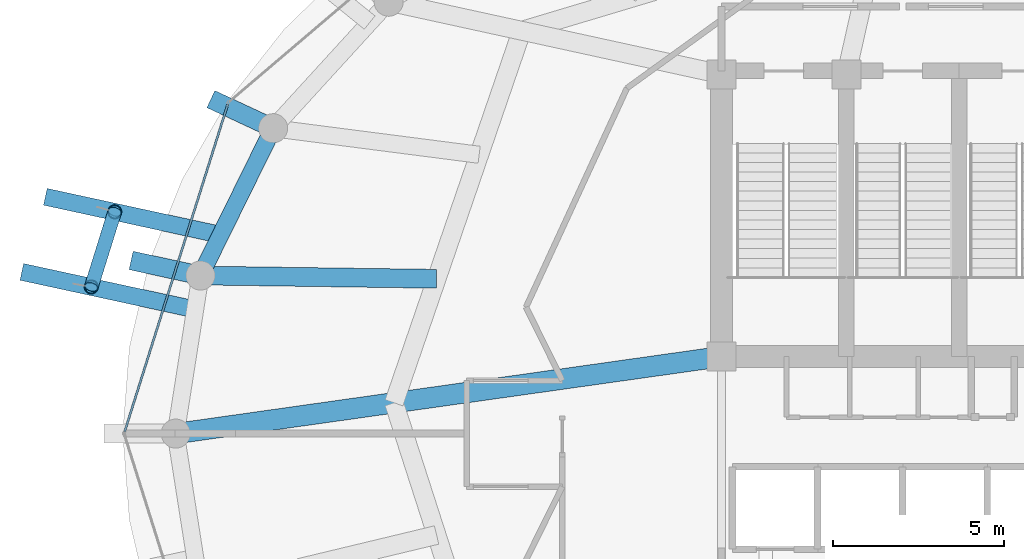
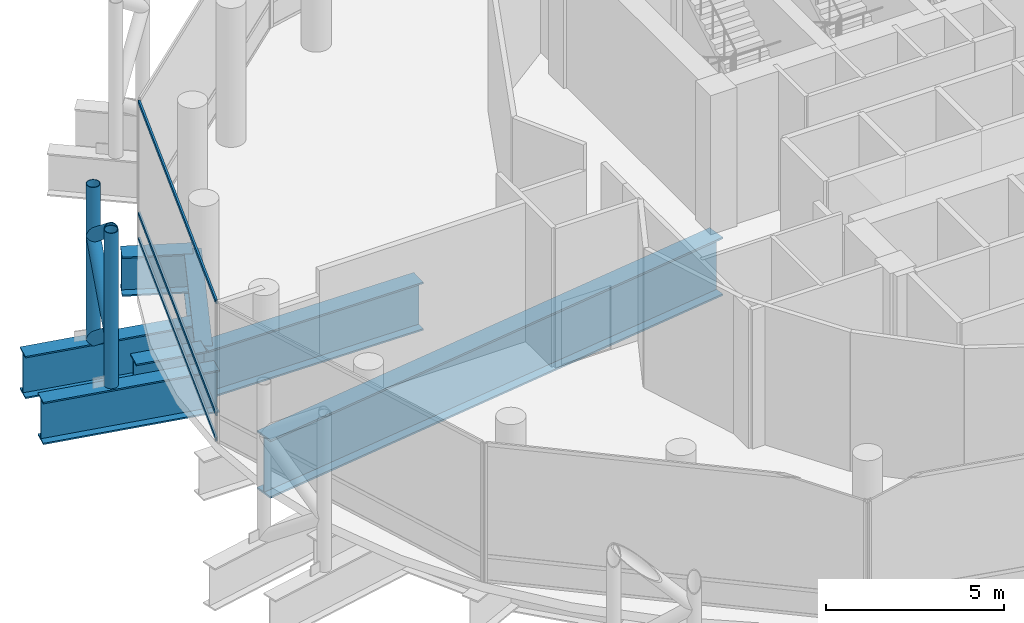
# One storey, part 7 of 31: 8 members, 7 beams, 1 element without a shape of its own.
"""IFC4 building model written with IfcOpenShell, lengths in metres."""

from ifc_helpers import new_model, si_unit, direction, frame, origin, origin_2d, place, context, subcontext, project, spatial, hollow_rectangle, hollow_circle, i_section, extrude, material, layer, layer_set, material_profile, profile_set, type_object, element, aggregate, save


model = new_model("IFC4")

# Units and contexts
model_context = context("Model", 3, precision=1e-05, world=origin(), true_north=direction((0.0, 1.0)))
body_context = subcontext(model_context, "Body", "Model", "MODEL_VIEW")
ifc_project = project(units=[si_unit("LENGTHUNIT", "METRE"), si_unit("AREAUNIT", "SQUARE_METRE"), si_unit("VOLUMEUNIT", "CUBIC_METRE"), si_unit("PLANEANGLEUNIT", "RADIAN"), si_unit("MASSUNIT", "GRAM", prefix="KILO")], contexts=[model_context])

# Site, building, storey
site_placement = place(None, origin())
site = spatial("IfcSite", under=ifc_project, at=site_placement, CompositionType="ELEMENT")
building_placement = place(site_placement, origin())
building = spatial("IfcBuilding", under=site, at=building_placement, Name="Nuhasar Tower", CompositionType="ELEMENT")
storey_placement = place(building_placement, frame((0.0, 0.0, 203.14990234375)))
storey = spatial("IfcBuildingStorey", under=building, at=storey_placement, Name="L49", CompositionType="ELEMENT", Elevation=203.14990234375)

# Beams
ifc_material_1 = material(Name="Steel S460", Category="steel")
ifc_material_profile_1 = material_profile(ifc_material_1, i_section(OverallWidth=0.550048828125, OverallDepth=1.35009765625, WebThickness=0.028076171875, FlangeThickness=0.050048828125, at=origin_2d()), Name="PG1350X550")
ifc_profile_set_1 = profile_set([ifc_material_profile_1], Name="Steel S460")
beam_type_1 = type_object("IfcBeamType", Name="BM-XFER-PG1350", PredefinedType="USERDEFINED", material=ifc_profile_set_1)
beam_1_placement = place(storey_placement, frame((20.596923828125, 35.72509765625, -0.994873046875), z_axis=(-0.905981096049, 0.423318147026, 0.0), x_axis=(-0.423318147026, -0.905981096049, 0.0)))
element("IfcBeam", 1, at=beam_1_placement, inside=storey, type_object=beam_type_1, Name="L49 Outer Column Step Transfer Girder 11", ObjectType="GIRDER", PredefinedType="USERDEFINED", context=body_context, shape_type="SweptSolid", body=[
    extrude(i_section(OverallWidth=0.550048828125, OverallDepth=1.35009765625, WebThickness=0.028076171875, FlangeThickness=0.050048828125, at=origin_2d()), origin(), (0.0, 0.0, 1.0), 2.007568359375),
])
beam_2_placement = place(storey_placement, frame((18.47412109375, 31.419921875, -0.994873046875), z_axis=(-0.977246385906, 0.212107287082, 0.0), x_axis=(-0.212107287082, -0.977246385906, 0.0)))
element("IfcBeam", 2, at=beam_2_placement, inside=storey, type_object=beam_type_1, Name="L49 Outer Column Step Transfer Girder 12", ObjectType="GIRDER", PredefinedType="USERDEFINED", context=body_context, shape_type="SweptSolid", body=[
    extrude(i_section(OverallWidth=0.550048828125, OverallDepth=1.35009765625, WebThickness=0.028076171875, FlangeThickness=0.050048828125, at=origin_2d()), origin(), (0.0, 0.0, 1.0), 2.0751953125),
])
ifc_material_profile_2 = material_profile(ifc_material_1, i_section(OverallWidth=0.5, OverallDepth=1.449951171875, WebThickness=0.028076171875, FlangeThickness=0.050048828125, at=origin_2d()), Name="PG1450X500")
ifc_profile_set_2 = profile_set([ifc_material_profile_2], Name="Steel S460")
beam_type_2 = type_object("IfcBeamType", Name="BM-XFER-PG1450", PredefinedType="USERDEFINED", material=ifc_profile_set_2)
beam_3_placement = place(storey_placement, frame((20.596923828125, 35.72509765625, -1.044921875), z_axis=(-0.442242604409, -0.896895467067, 0.0), x_axis=(0.896895467067, -0.442242604409, 0.0)))
element("IfcBeam", 3, at=beam_3_placement, inside=storey, type_object=beam_type_2, Name="L49 Perimeter Ring Spandrel 11", ObjectType="GIRDER", PredefinedType="USERDEFINED", context=body_context, shape_type="SweptSolid", body=[
    extrude(i_section(OverallWidth=0.5, OverallDepth=1.449951171875, WebThickness=0.028076171875, FlangeThickness=0.050048828125, at=origin_2d()), origin(), (0.0, 0.0, 1.0), 4.800048828125),
])
beam_4_placement = place(storey_placement, frame((19.06103515625, 32.60888671875, -1.044921875), z_axis=(-0.977224692322, 0.212207211743, 0.0), x_axis=(-0.212207211743, -0.977224692322, 0.0)))
element("IfcBeam", 4, at=beam_4_placement, inside=storey, type_object=beam_type_2, Name="L49 Exoskeleton Step Transfer Girder 11", ObjectType="GIRDER", PredefinedType="USERDEFINED", context=body_context, shape_type="SweptSolid", body=[
    extrude(i_section(OverallWidth=0.5, OverallDepth=1.449951171875, WebThickness=0.028076171875, FlangeThickness=0.050048828125, at=origin_2d()), origin(), (0.0, 0.0, 1.0), 5.240478515625),
])
beam_5_placement = place(storey_placement, frame((18.319091796875, 30.427978515625, -1.044921875), z_axis=(-0.977322327933, 0.211757095096, 0.0), x_axis=(-0.211757095096, -0.977322327933, 0.0)))
element("IfcBeam", 5, at=beam_5_placement, inside=storey, type_object=beam_type_2, Name="L49 Exoskeleton Step Transfer Girder 12", ObjectType="GIRDER", PredefinedType="USERDEFINED", context=body_context, shape_type="SweptSolid", body=[
    extrude(i_section(OverallWidth=0.5, OverallDepth=1.449951171875, WebThickness=0.028076171875, FlangeThickness=0.050048828125, at=origin_2d()), origin(), (0.0, 0.0, 1.0), 5.184814453125),
])
ifc_material_profile_3 = material_profile(ifc_material_1, i_section(OverallWidth=0.550048828125, OverallDepth=1.64990234375, WebThickness=0.031982421875, FlangeThickness=0.054931640625, at=origin_2d()), Name="PG1650X550")
ifc_profile_set_3 = profile_set([ifc_material_profile_3], Name="Steel S460")
beam_type_3 = type_object("IfcBeamType", Name="BM-XFER-PG1650", PredefinedType="USERDEFINED", material=ifc_profile_set_3)
beam_6_placement = place(storey_placement, frame((25.375, 31.323974609375, -1.14501953125), z_axis=(-0.99990335855, 0.013902286136, 0.0), x_axis=(-0.013902286136, -0.99990335855, 0.0)))
element("IfcBeam", 6, at=beam_6_placement, inside=storey, type_object=beam_type_3, Name="L49 Inner Column Transfer Girder 12", ObjectType="GIRDER", PredefinedType="USERDEFINED", context=body_context, shape_type="SweptSolid", body=[
    extrude(i_section(OverallWidth=0.550048828125, OverallDepth=1.64990234375, WebThickness=0.031982421875, FlangeThickness=0.054931640625, at=origin_2d()), origin(), (0.0, 0.0, 1.0), 6.901611328125),
])
ifc_material_profile_4 = material_profile(ifc_material_1, i_section(OverallWidth=0.60009765625, OverallDepth=2.0, WebThickness=0.035888671875, FlangeThickness=0.06005859375, at=origin_2d()), Name="PG2000X600")
ifc_profile_set_4 = profile_set([ifc_material_profile_4], Name="Steel S460")
beam_type_4 = type_object("IfcBeamType", Name="BM-XFER-PG2000", PredefinedType="USERDEFINED", material=ifc_profile_set_4)
beam_7_placement = place(storey_placement, frame((33.699951171875, 29.050048828125, -1.31982421875), z_axis=(-0.990196233464, -0.139683281866, 0.0), x_axis=(0.139683281866, -0.990196233464, 0.0)))
element("IfcBeam", 7, at=beam_7_placement, inside=storey, type_object=beam_type_4, Name="L49 Radial Floor Girder 08", ObjectType="GIRDER", PredefinedType="USERDEFINED", context=body_context, shape_type="SweptSolid", body=[
    extrude(i_section(OverallWidth=0.60009765625, OverallDepth=2.0, WebThickness=0.035888671875, FlangeThickness=0.06005859375, at=origin_2d()), origin(), (0.0, 0.0, 1.0), 16.10791015625),
])

# Curtain wall, members
ifc_material_2 = material(Name="Aluminium 6063-T6", Category="aluminium")
ifc_layer = layer(ifc_material_2, 0.239990234375)
ifc_layer_set = layer_set([ifc_layer], Name="Aluminium 6063-T6")
curtain_wall_type = type_object("IfcCurtainWallType", Name="CW-SKY-LBY", PredefinedType="NOTDEFINED", material=ifc_layer_set)
curtain_wall_placement = place(storey_placement, origin())
curtain_wall = element("IfcCurtainWall", 8, at=curtain_wall_placement, inside=storey, type_object=curtain_wall_type, Name="L49 Unitised Curtain Wall 06", PredefinedType="NOTDEFINED")
ifc_material_profile_5 = material_profile(ifc_material_2, hollow_rectangle(XDim=0.06005859375, YDim=0.1298828125, WallThickness=0.00439453125, at=origin_2d()), Name="CWT-6")
ifc_profile_set_5 = profile_set([ifc_material_profile_5], Name="Aluminium 6063-T6")
member_type_1 = type_object("IfcMemberType", Name="CW-TRN-S6", PredefinedType="USERDEFINED", material=ifc_profile_set_5)
member_1_placement = place(storey_placement, frame((19.27099609375, 36.4228515625, 0.030029296875), z_axis=(-0.300424094991, -0.953805726104, 0.0), x_axis=(0.953805726104, -0.300424094991, 0.0)))
member_1 = element("IfcMember", 9, at=member_1_placement, type_object=member_type_1, Name="CW-SL transom 1.1", ObjectType="TRANSOM", PredefinedType="USERDEFINED", context=body_context, shape_type="SweptSolid", body=[
    extrude(hollow_rectangle(XDim=0.06005859375, YDim=0.1298828125, WallThickness=0.00439453125, at=origin_2d()), origin(), (0.0, 0.0, 1.0), 10.029052734375),
])
member_2_placement = place(storey_placement, frame((19.27099609375, 36.4228515625, 0.900146484375), z_axis=(-0.300424094991, -0.953805726104, 0.0), x_axis=(0.953805726104, -0.300424094991, 0.0)))
member_2 = element("IfcMember", 10, at=member_2_placement, type_object=member_type_1, Name="CW-SL transom 1.2", ObjectType="TRANSOM", PredefinedType="USERDEFINED", context=body_context, shape_type="SweptSolid", body=[
    extrude(hollow_rectangle(XDim=0.06005859375, YDim=0.1298828125, WallThickness=0.00439453125, at=origin_2d()), origin(), (0.0, 0.0, 1.0), 10.029052734375),
])
member_3_placement = place(storey_placement, frame((19.27099609375, 36.4228515625, 4.72998046875), z_axis=(-0.300424094991, -0.953805726104, 0.0), x_axis=(0.953805726104, -0.300424094991, 0.0)))
member_3 = element("IfcMember", 11, at=member_3_placement, type_object=member_type_1, Name="CW-SL transom 1.3", ObjectType="TRANSOM", PredefinedType="USERDEFINED", context=body_context, shape_type="SweptSolid", body=[
    extrude(hollow_rectangle(XDim=0.06005859375, YDim=0.1298828125, WallThickness=0.00439453125, at=origin_2d()), origin(), (0.0, 0.0, 1.0), 10.029052734375),
])
aggregate(curtain_wall, [member_1, member_2, member_3])

# Members
ifc_material_profile_6 = material_profile(ifc_material_1, hollow_circle(Radius=0.203125, WallThickness=0.01904296875, at=origin_2d()), Name="HSS406.4X19.1")
ifc_profile_set_6 = profile_set([ifc_material_profile_6], Name="Steel S460")
member_type_2 = type_object("IfcMemberType", Name="EXO-BRONZE-406", PredefinedType="BRACE", material=ifc_profile_set_6)
for number, where, z_axis, x_axis, name in (
    (12, (15.967041015625, 33.281005859375, -0.31982421875), (0.0, 0.0, 1.0), (1.0, 0.0, 0.0), "L49 Exoskeleton Chord Column EC-06A"),
    (13, (15.281982421875, 31.0859375, -0.31982421875), (0.0, 0.0, 1.0), (1.0, 0.0, 0.0), "L49 Exoskeleton Chord Column EC-06B"),
):
    element("IfcMember", number, at=place(storey_placement, frame(where, z_axis=z_axis, x_axis=x_axis)), inside=storey, type_object=member_type_2, Name=name, PredefinedType="BRACE", context=body_context, shape_type="SweptSolid", body=[
        extrude(hollow_circle(Radius=0.203125, WallThickness=0.01904296875, at=origin_2d()), origin(), (0.0, 0.0, 1.0), 5.31982421875),
    ])
member_4_placement = place(storey_placement, frame((15.967041015625, 33.281005859375, -0.31982421875), z_axis=(-0.235933009195, -0.755977792472, 0.610600681674), x_axis=(0.954591372974, -0.297918295247, 0.0)))
element("IfcMember", 14, at=member_4_placement, inside=storey, type_object=member_type_2, Name="L49 Bronze Diagrid Brace W1-06", PredefinedType="BRACE", context=body_context, shape_type="SweptSolid", body=[
    extrude(hollow_circle(Radius=0.203125, WallThickness=0.01904296875, at=origin_2d()), origin(), (0.0, 0.0, 1.0), 2.903564453125),
])
member_5_placement = place(storey_placement, frame((15.281982421875, 31.0859375, 1.453125), z_axis=(0.235884559303, 0.75582254907, 0.610811549498), x_axis=(-0.954591372974, 0.297918295247, 0.0)))
element("IfcMember", 15, at=member_5_placement, inside=storey, type_object=member_type_2, Name="L49 Bronze Diagrid Brace W2-06", PredefinedType="BRACE", context=body_context, shape_type="SweptSolid", body=[
    extrude(hollow_circle(Radius=0.203125, WallThickness=0.01904296875, at=origin_2d()), origin(), (0.0, 0.0, 1.0), 2.904296875),
])
member_6_placement = place(storey_placement, frame((15.967041015625, 33.281005859375, 3.22705078125), z_axis=(-0.235933009195, -0.755977792472, 0.610600681674), x_axis=(0.954591372974, -0.297918295247, 0.0)))
element("IfcMember", 16, at=member_6_placement, inside=storey, type_object=member_type_2, Name="L49 Bronze Diagrid Brace W3-06", PredefinedType="BRACE", context=body_context, shape_type="SweptSolid", body=[
    extrude(hollow_circle(Radius=0.203125, WallThickness=0.01904296875, at=origin_2d()), origin(), (0.0, 0.0, 1.0), 2.903564453125),
])

save(model, "model.ifc")
